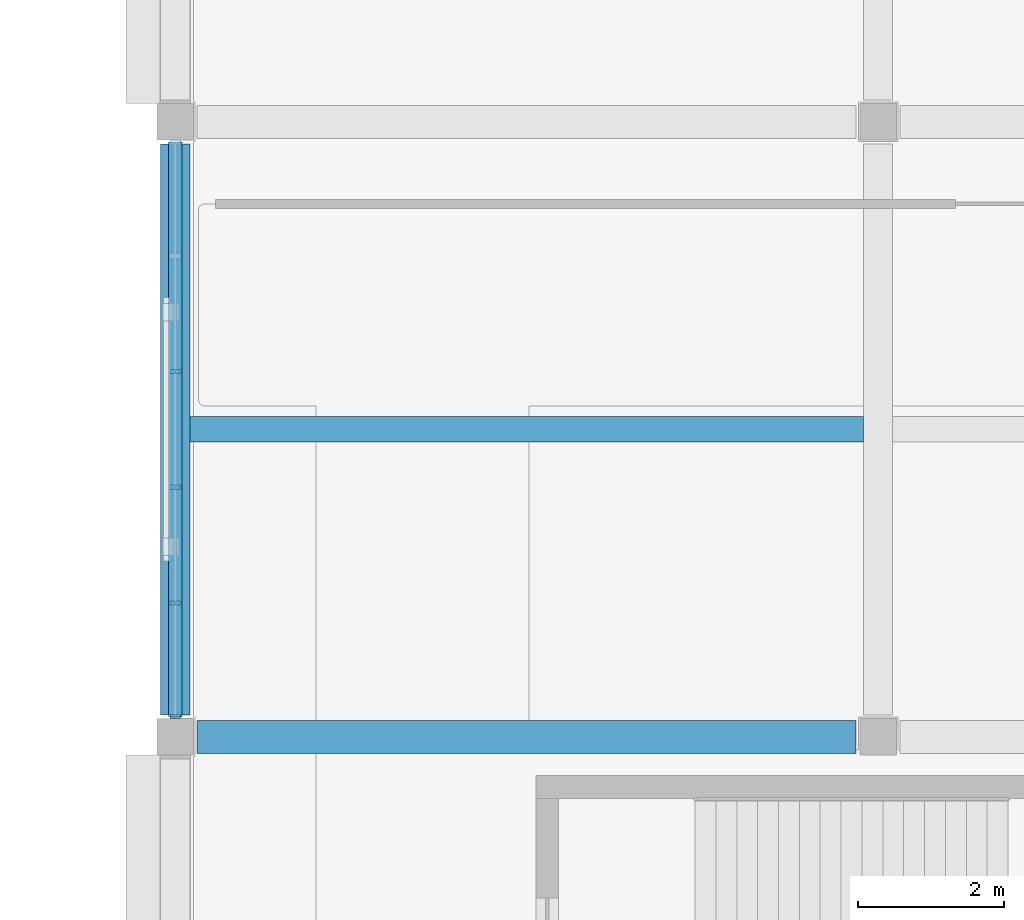
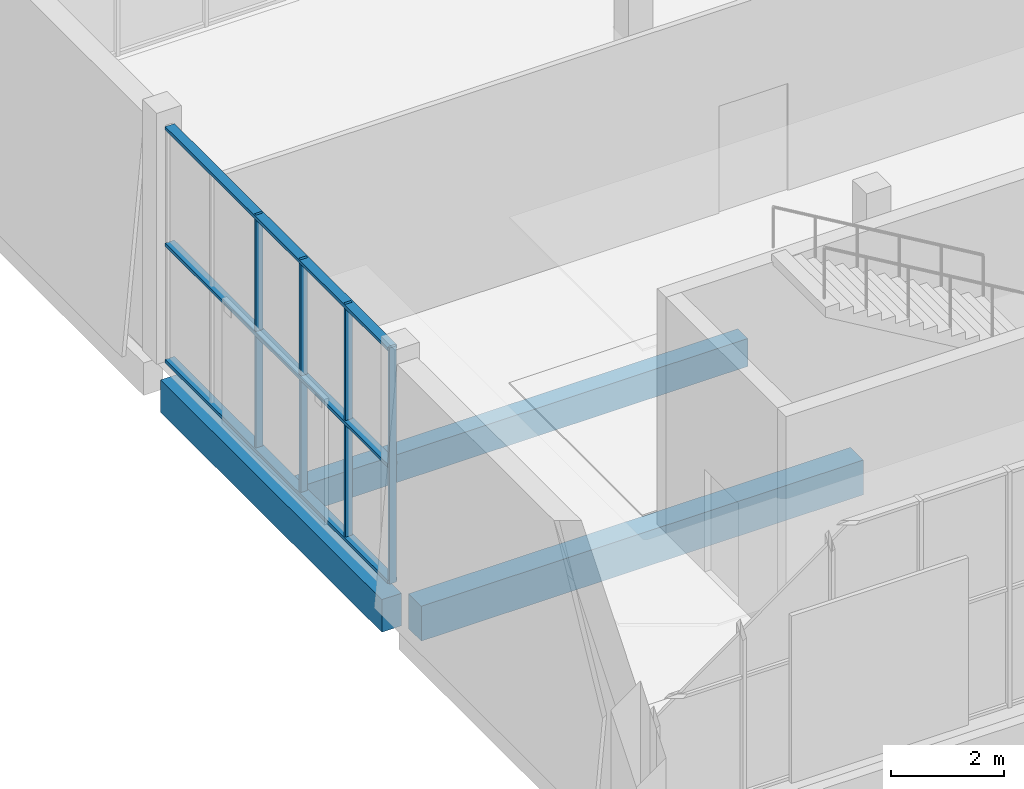
# One storey, part 28 of 83: 7 members, 3 beams, 1 element without a shape of its own.
"""IFC4 building model written with IfcOpenShell, lengths in metres."""

from ifc_helpers import new_model, si_unit, direction, frame, origin, origin_2d, place, context, subcontext, project, spatial, rectangle, extrude, material, material_profile, profile_set, type_object, element, aggregate, save


model = new_model("IFC4")

# Units and contexts
model_context = context("Model", 3, precision=1e-05, world=origin(), true_north=direction((0.0, 1.0)))
body_context = subcontext(model_context, "Body", "Model", "MODEL_VIEW")
ifc_project = project(units=[si_unit("LENGTHUNIT", "METRE"), si_unit("AREAUNIT", "SQUARE_METRE"), si_unit("VOLUMEUNIT", "CUBIC_METRE"), si_unit("PLANEANGLEUNIT", "RADIAN"), si_unit("MASSUNIT", "GRAM", prefix="KILO")], contexts=[model_context])

# Site, building, storey
site_placement = place(None, origin())
site = spatial("IfcSite", under=ifc_project, at=site_placement, CompositionType="ELEMENT")
building_placement = place(site_placement, origin())
building = spatial("IfcBuilding", under=site, at=building_placement, Name="Shalvenor Court Art Gallery", CompositionType="ELEMENT")
storey_placement = place(building_placement, frame((0.0, 0.0, 6.0)))
storey = spatial("IfcBuildingStorey", under=building, at=storey_placement, Name="L01", CompositionType="ELEMENT", Elevation=6.0)

# Beams
ifc_material_1 = material(Name="Concrete C40/50", Category="concrete")
ifc_material_profile_1 = material_profile(ifc_material_1, rectangle(XDim=0.449951171875, YDim=0.75, at=origin_2d()), Name="RC 450x750")
ifc_profile_set_1 = profile_set([ifc_material_profile_1], Name="Concrete C40/50")
beam_type_1 = type_object("IfcBeamType", Name="B-04", PredefinedType="BEAM", material=ifc_profile_set_1)
beam_1_placement = place(storey_placement, frame((57.89990234375, 105.60009765625, -0.695068359375), z_axis=(1.0, 0.0, 0.0), x_axis=(0.0, 1.0, 0.0)))
element("IfcBeam", 1, at=beam_1_placement, inside=storey, type_object=beam_type_1, Name="L01 Girder BM-L01-B-04-0599", PredefinedType="BEAM", context=body_context, shape_type="SweptSolid", body=[
    extrude(rectangle(XDim=0.449951171875, YDim=0.75, at=origin_2d()), origin(), (0.0, 0.0, 1.0), 9.0),
])
ifc_material_2 = material(Name="Concrete C40/50", Category="concrete")
ifc_material_profile_2 = material_profile(ifc_material_2, rectangle(XDim=0.39990234375, YDim=0.699951171875, at=origin_2d()), Name="RC 400x700")
ifc_profile_set_2 = profile_set([ifc_material_profile_2], Name="Concrete C40/50")
beam_type_2 = type_object("IfcBeamType", Name="B-05", PredefinedType="BEAM", material=ifc_profile_set_2)
beam_2_placement = place(storey_placement, frame((57.60009765625, 105.89990234375, -0.669921875), z_axis=(0.0, 1.0, 0.0), x_axis=(-1.0, 0.0, 0.0)))
element("IfcBeam", 2, at=beam_2_placement, inside=storey, type_object=beam_type_2, Name="L01 Girder BM-L01-B-05-0405", PredefinedType="BEAM", context=body_context, shape_type="SweptSolid", body=[
    extrude(rectangle(XDim=0.39990234375, YDim=0.699951171875, at=origin_2d()), origin(), (0.0, 0.0, 1.0), 7.800048828125),
])

# Curtain wall, members
ifc_material_3 = material(Name="Anodised aluminium and low-iron glass curtain wall", Category="aluminium")
curtain_wall_type = type_object("IfcCurtainWallType", Name="CW-5x2-79-51-642", PredefinedType="USERDEFINED", material=ifc_material_3)
curtain_wall_placement = place(storey_placement, origin())
curtain_wall = element("IfcCurtainWall", 3, at=curtain_wall_placement, inside=storey, type_object=curtain_wall_type, Name="L01 V2 Curtain Wall CW-L01-071", ObjectType="CURTAIN WALL", PredefinedType="USERDEFINED")
ifc_material_4 = material(Name="Anodised aluminium mullion", Category="aluminium")
ifc_material_profile_3 = material_profile(ifc_material_4, rectangle(XDim=0.054931640625, YDim=0.139892578125, at=origin_2d()), Name="CWM-06")
ifc_profile_set_3 = profile_set([ifc_material_profile_3], Name="Anodised aluminium mullion")
member_type_1 = type_object("IfcMemberType", Name="CWM-06", PredefinedType="MULLION", material=ifc_profile_set_3)
member_1_placement = place(storey_placement, frame((57.60009765625, 105.87744140625, 0.0), z_axis=(0.0, 0.0, 1.0), x_axis=(0.0, 1.0, 0.0)))
member_1 = element("IfcMember", 4, at=member_1_placement, type_object=member_type_1, Name="CW-5x2-79-51-642 mullion 1", PredefinedType="MULLION", context=body_context, shape_type="SweptSolid", body=[
    extrude(rectangle(XDim=0.054931640625, YDim=0.139892578125, at=origin_2d()), origin(), (0.0, 0.0, 1.0), 5.080078125),
])
member_2_placement = place(storey_placement, frame((57.60009765625, 107.429931640625, 0.0), z_axis=(0.0, 0.0, 1.0), x_axis=(0.0, 1.0, 0.0)))
member_2 = element("IfcMember", 5, at=member_2_placement, type_object=member_type_1, Name="CW-5x2-79-51-642 mullion 2", PredefinedType="MULLION", context=body_context, shape_type="SweptSolid", body=[
    extrude(rectangle(XDim=0.054931640625, YDim=0.139892578125, at=origin_2d()), origin(), (0.0, 0.0, 1.0), 5.080078125),
])
member_3_placement = place(storey_placement, frame((57.60009765625, 109.010009765625, 0.0), z_axis=(0.0, 0.0, 1.0), x_axis=(0.0, 1.0, 0.0)))
member_3 = element("IfcMember", 6, at=member_3_placement, type_object=member_type_1, Name="CW-5x2-79-51-642 mullion 3", PredefinedType="MULLION", context=body_context, shape_type="SweptSolid", body=[
    extrude(rectangle(XDim=0.054931640625, YDim=0.139892578125, at=origin_2d()), origin(), (0.0, 0.0, 1.0), 5.080078125),
])
member_4_placement = place(storey_placement, frame((57.60009765625, 110.590087890625, 0.0), z_axis=(0.0, 0.0, 1.0), x_axis=(0.0, 1.0, 0.0)))
member_4 = element("IfcMember", 7, at=member_4_placement, type_object=member_type_1, Name="CW-5x2-79-51-642 mullion 4", PredefinedType="MULLION", context=body_context, shape_type="SweptSolid", body=[
    extrude(rectangle(XDim=0.054931640625, YDim=0.139892578125, at=origin_2d()), origin(), (0.0, 0.0, 1.0), 5.080078125),
])
ifc_material_5 = material(Name="Anodised aluminium transom", Category="aluminium")
ifc_material_profile_4 = material_profile(ifc_material_5, rectangle(XDim=0.18994140625, YDim=0.070068359375, at=origin_2d()), Name="CWT-04")
ifc_profile_set_4 = profile_set([ifc_material_profile_4], Name="Anodised aluminium transom")
member_type_2 = type_object("IfcMemberType", Name="CWT-04", PredefinedType="USERDEFINED", material=ifc_profile_set_4)
member_5_placement = place(storey_placement, frame((57.60009765625, 105.87744140625, 0.034912109375), z_axis=(0.0, 1.0, 0.0), x_axis=(-1.0, 0.0, 0.0)))
member_5 = element("IfcMember", 8, at=member_5_placement, type_object=member_type_2, Name="CW-5x2-79-51-642 transom 1", ObjectType="TRANSOM", PredefinedType="USERDEFINED", context=body_context, shape_type="SweptSolid", body=[
    extrude(rectangle(XDim=0.18994140625, YDim=0.070068359375, at=origin_2d()), origin(), (0.0, 0.0, 1.0), 7.844970703125),
])
member_6_placement = place(storey_placement, frame((57.60009765625, 105.87744140625, 2.5400390625), z_axis=(0.0, 1.0, 0.0), x_axis=(-1.0, 0.0, 0.0)))
member_6 = element("IfcMember", 9, at=member_6_placement, type_object=member_type_2, Name="CW-5x2-79-51-642 transom 2", ObjectType="TRANSOM", PredefinedType="USERDEFINED", context=body_context, shape_type="SweptSolid", body=[
    extrude(rectangle(XDim=0.18994140625, YDim=0.070068359375, at=origin_2d()), origin(), (0.0, 0.0, 1.0), 7.844970703125),
])
member_7_placement = place(storey_placement, frame((57.60009765625, 105.87744140625, 5.044921875), z_axis=(0.0, 1.0, 0.0), x_axis=(-1.0, 0.0, 0.0)))
member_7 = element("IfcMember", 10, at=member_7_placement, type_object=member_type_2, Name="CW-5x2-79-51-642 transom 3", ObjectType="TRANSOM", PredefinedType="USERDEFINED", context=body_context, shape_type="SweptSolid", body=[
    extrude(rectangle(XDim=0.18994140625, YDim=0.070068359375, at=origin_2d()), origin(), (0.0, 0.0, 1.0), 7.844970703125),
])
aggregate(curtain_wall, [member_1, member_2, member_3, member_4, member_5, member_6, member_7])

# Beam
ifc_material_6 = material(Name="Concrete C40/50", Category="concrete")
ifc_material_profile_5 = material_profile(ifc_material_6, rectangle(XDim=0.35009765625, YDim=0.60009765625, at=origin_2d()), Name="RC 350x600")
ifc_profile_set_5 = profile_set([ifc_material_profile_5], Name="Concrete C40/50")
beam_type_3 = type_object("IfcBeamType", Name="J-01", PredefinedType="JOIST", material=ifc_profile_set_5)
beam_3_placement = place(storey_placement, frame((57.800048828125, 109.800048828125, -0.6201171875), z_axis=(1.0, 0.0, 0.0), x_axis=(0.0, 1.0, 0.0)))
element("IfcBeam", 11, at=beam_3_placement, inside=storey, type_object=beam_type_3, Name="L01 Secondary Beam JST-L01-J-01-0646", PredefinedType="JOIST", context=body_context, shape_type="SweptSolid", body=[
    extrude(rectangle(XDim=0.35009765625, YDim=0.60009765625, at=origin_2d()), origin(), (0.0, 0.0, 1.0), 9.199951171875),
])

save(model, "model.ifc")
